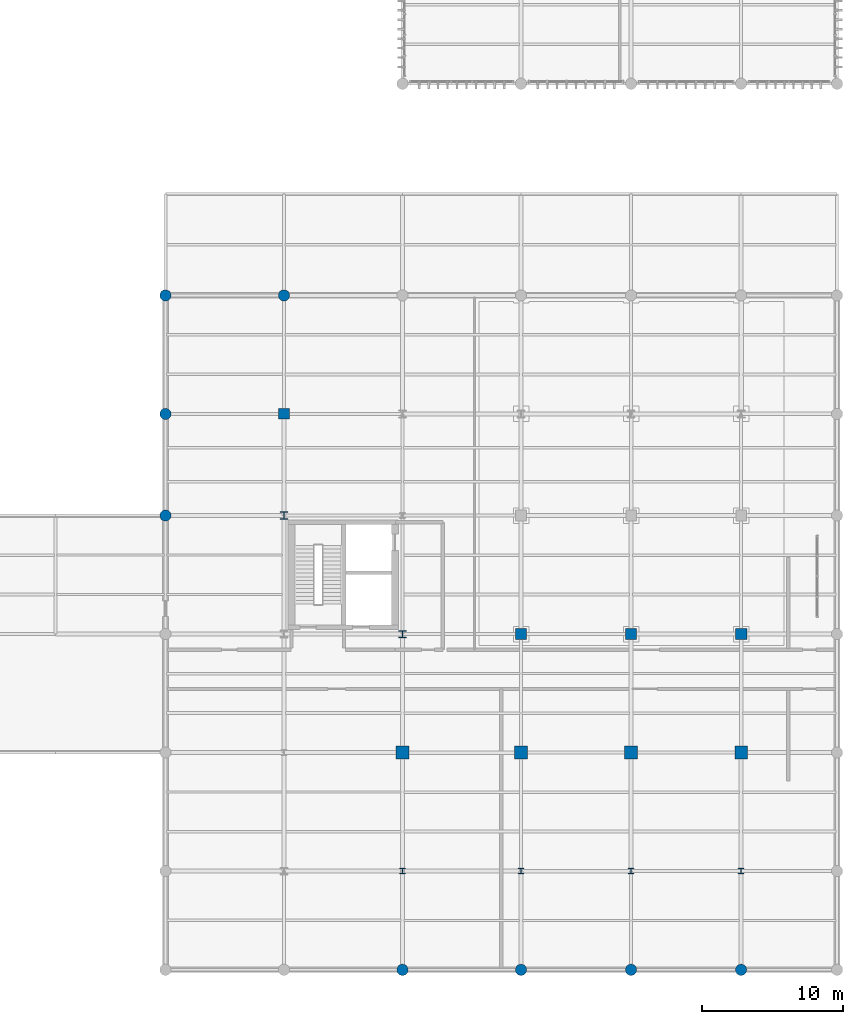
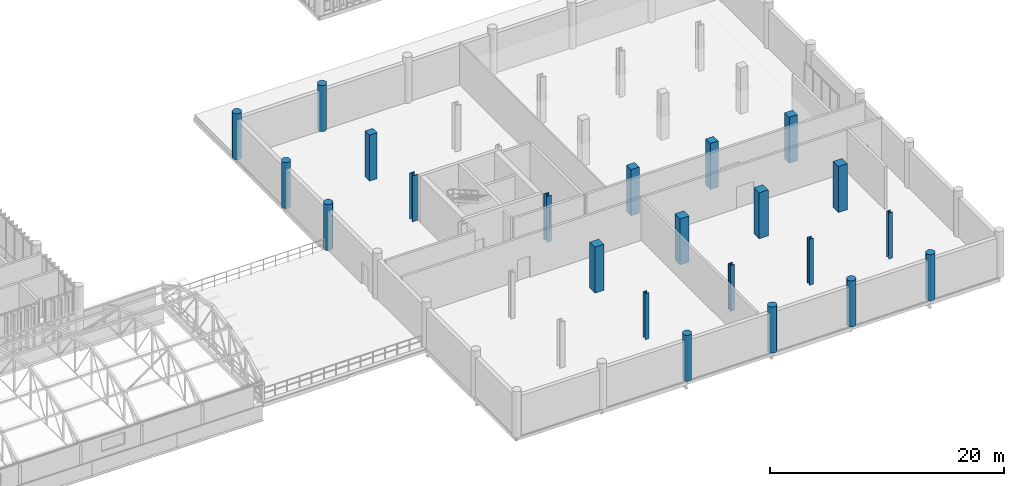
# One storey, part 8 of 109: 22 columns.
"""IFC4 building model written with IfcOpenShell, lengths in metres."""

from ifc_helpers import new_model, si_unit, direction, frame, origin_with_axes, origin_2d_with_axis, place, context, subcontext, project, spatial, rectangle, circle, i_section, extrude, material, material_profile, profile_set, type_object, element, save


model = new_model("IFC4")

# Units and contexts
model_context = context("Model", 3, precision=1e-05, world=origin_with_axes(), true_north=direction((0.0, 1.0)))
body_context = subcontext(model_context, "Body", "Model", "MODEL_VIEW")
ifc_project = project(units=[si_unit("LENGTHUNIT", "METRE"), si_unit("AREAUNIT", "SQUARE_METRE"), si_unit("VOLUMEUNIT", "CUBIC_METRE"), si_unit("PLANEANGLEUNIT", "RADIAN"), si_unit("MASSUNIT", "GRAM", prefix="KILO"), si_unit("THERMODYNAMICTEMPERATUREUNIT", "KELVIN")], contexts=[model_context])

# Site, building, storey
site_placement = place(None, origin_with_axes())
site = spatial("IfcSite", under=ifc_project, at=site_placement, CompositionType="ELEMENT")
building_placement = place(site_placement, origin_with_axes())
building = spatial("IfcBuilding", under=site, at=building_placement, Name="Montbau Bow Law Courts", CompositionType="ELEMENT")
storey_placement = place(building_placement, frame((0.0, 0.0, 10.8), z_axis=(0.0, 0.0, 1.0), x_axis=(1.0, 0.0, 0.0)))
storey = spatial("IfcBuildingStorey", under=building, at=storey_placement, Name="L02", CompositionType="ELEMENT", Elevation=10.8)

# Columns
ifc_material_1 = material(Name="Concrete CSA A23.1 f'c 45 MPa", Category="concrete")
ifc_material_profile_1 = material_profile(ifc_material_1, rectangle(XDim=0.9, YDim=0.9, at=origin_2d_with_axis()), Name="RC900X900", Category="Main", Priority=0)
ifc_profile_set_1 = profile_set([ifc_material_profile_1], Name="Concrete CSA A23.1 f'c 45 MPa")
column_type_1 = type_object("IfcColumnType", Name="C-RC-01", PredefinedType="COLUMN", material=ifc_profile_set_1)
for number, where, z_axis, x_axis, name in (
    (1, (138.6, 22.2, 10.8), (0.0, 0.0, 1.0), (1.0, 0.0, 0.0), "C-L02-S0585:col2_0585"),
    (2, (147.0, 22.2, 10.8), (0.0, 0.0, 1.0), (1.0, 0.0, 0.0), "C-L02-S0597:col2_0597"),
    (3, (154.8, 22.2, 10.8), (0.0, 0.0, 1.0), (1.0, 0.0, 0.0), "C-L02-S0609:col2_0609"),
    (4, (162.6, 22.2, 10.8), (0.0, 0.0, 1.0), (1.0, 0.0, 0.0), "C-L02-S0621:col2_0621"),
):
    element("IfcColumn", number, at=place(None, frame(where, z_axis=z_axis, x_axis=x_axis)), inside=storey, type_object=column_type_1, Name=name, PredefinedType="COLUMN", context=body_context, shape_type="SweptSolid", body=[
        extrude(rectangle(XDim=0.9, YDim=0.9, at=origin_2d_with_axis()), origin_with_axes(), (0.0, 0.0, 1.0), 4.8),
    ])
ifc_material_profile_2 = material_profile(ifc_material_1, rectangle(XDim=0.8, YDim=0.8, at=origin_2d_with_axis()), Name="RC800X800", Category="Main", Priority=0)
ifc_profile_set_2 = profile_set([ifc_material_profile_2], Name="Concrete CSA A23.1 f'c 45 MPa")
column_type_2 = type_object("IfcColumnType", Name="C-RC-02", PredefinedType="COLUMN", material=ifc_profile_set_2)
for number, where, z_axis, x_axis, name in (
    (5, (147.0, 30.6, 10.8), (0.0, 0.0, 1.0), (1.0, 0.0, 0.0), "C-L02-S0598:col2_0598"),
    (6, (154.8, 30.6, 10.8), (0.0, 0.0, 1.0), (1.0, 0.0, 0.0), "C-L02-S0610:col2_0610"),
    (7, (162.6, 30.6, 10.8), (0.0, 0.0, 1.0), (1.0, 0.0, 0.0), "C-L02-S0622:col2_0622"),
):
    element("IfcColumn", number, at=place(None, frame(where, z_axis=z_axis, x_axis=x_axis)), inside=storey, type_object=column_type_2, Name=name, PredefinedType="COLUMN", context=body_context, shape_type="SweptSolid", body=[
        extrude(rectangle(XDim=0.8, YDim=0.8, at=origin_2d_with_axis()), origin_with_axes(), (0.0, 0.0, 1.0), 4.8),
    ])
ifc_material_2 = material(Name="Concrete CSA A23.1 f'c 40 MPa", Category="concrete")
ifc_material_profile_3 = material_profile(ifc_material_2, rectangle(XDim=0.75, YDim=0.75, at=origin_2d_with_axis()), Name="RC750X750", Category="Main", Priority=0)
ifc_profile_set_3 = profile_set([ifc_material_profile_3], Name="Concrete CSA A23.1 f'c 40 MPa")
column_type_3 = type_object("IfcColumnType", Name="C-RC-03", PredefinedType="COLUMN", material=ifc_profile_set_3)
column_placement = place(None, frame((130.2, 46.2, 10.8), z_axis=(0.0, 0.0, 1.0), x_axis=(1.0, 0.0, 0.0)))
element("IfcColumn", 8, at=column_placement, inside=storey, type_object=column_type_3, Name="C-L02-S0581:col2_0581", PredefinedType="COLUMN", context=body_context, shape_type="SweptSolid", body=[
    extrude(rectangle(XDim=0.75, YDim=0.75, at=origin_2d_with_axis()), origin_with_axes(), (0.0, 0.0, 1.0), 4.8),
])
ifc_material_profile_4 = material_profile(ifc_material_2, circle(Radius=0.4, at=origin_2d_with_axis()), Name="RC800D", Category="Main", Priority=0)
ifc_profile_set_4 = profile_set([ifc_material_profile_4], Name="Concrete CSA A23.1 f'c 40 MPa")
column_type_4 = type_object("IfcColumnType", Name="C-RC-07", PredefinedType="COLUMN", material=ifc_profile_set_4)
for number, where, z_axis, x_axis, name in (
    (9, (121.8, 39.0, 10.8), (0.0, 0.0, 1.0), (1.0, 0.0, 0.0), "C-L02-S0573:col2_0573"),
    (10, (121.8, 46.2, 10.8), (0.0, 0.0, 1.0), (1.0, 0.0, 0.0), "C-L02-S0574:col2_0574"),
    (11, (121.8, 54.6, 10.8), (0.0, 0.0, 1.0), (1.0, 0.0, 0.0), "C-L02-S0575:col2_0575"),
    (12, (130.2, 54.6, 10.8), (0.0, 0.0, 1.0), (1.0, 0.0, 0.0), "C-L02-S0582:col2_0582"),
    (13, (138.6, 6.8, 10.8), (0.0, 0.0, 1.0), (1.0, 0.0, 0.0), "C-L02-S0583:col2_0583"),
    (14, (147.0, 6.8, 10.8), (0.0, 0.0, 1.0), (1.0, 0.0, 0.0), "C-L02-S0595:col2_0595"),
    (15, (154.8, 6.8, 10.8), (0.0, 0.0, 1.0), (1.0, 0.0, 0.0), "C-L02-S0607:col2_0607"),
    (16, (162.6, 6.8, 10.8), (0.0, 0.0, 1.0), (1.0, 0.0, 0.0), "C-L02-S0619:col2_0619"),
):
    element("IfcColumn", number, at=place(None, frame(where, z_axis=z_axis, x_axis=x_axis)), inside=storey, type_object=column_type_4, Name=name, PredefinedType="COLUMN", context=body_context, shape_type="SweptSolid", body=[
        extrude(circle(Radius=0.4, at=origin_2d_with_axis()), origin_with_axes(), (0.0, 0.0, 1.0), 4.8),
    ])
ifc_material_3 = material(Name="Steel CSA G40.21 Grade 350W (350 MPa)", Category="steel")
ifc_material_profile_5 = material_profile(ifc_material_3, i_section(OverallWidth=0.5, OverallDepth=0.5, WebThickness=0.022, FlangeThickness=0.036, at=origin_2d_with_axis()), Name="WWF500X343", Category="Main", Priority=0)
ifc_profile_set_5 = profile_set([ifc_material_profile_5], Name="Steel CSA G40.21 Grade 350W (350 MPa)")
column_type_5 = type_object("IfcColumnType", Name="C-STL-02", PredefinedType="COLUMN", material=ifc_profile_set_5)
for number, where, z_axis, x_axis, name in (
    (17, (130.2, 39.0, 10.8), (0.0, 0.0, 1.0), (1.0, 0.0, 0.0), "C-L02-S0580:col2_0580"),
    (18, (138.6, 30.6, 10.8), (0.0, 0.0, 1.0), (1.0, 0.0, 0.0), "C-L02-S0586:col2_0586"),
):
    element("IfcColumn", number, at=place(None, frame(where, z_axis=z_axis, x_axis=x_axis)), inside=storey, type_object=column_type_5, Name=name, PredefinedType="COLUMN", context=body_context, shape_type="SweptSolid", body=[
        extrude(i_section(OverallWidth=0.5, OverallDepth=0.5, WebThickness=0.022, FlangeThickness=0.036, at=origin_2d_with_axis()), origin_with_axes(), (0.0, 0.0, 1.0), 4.8),
    ])
ifc_material_profile_6 = material_profile(ifc_material_3, i_section(OverallWidth=0.395, OverallDepth=0.38, WebThickness=0.0189, FlangeThickness=0.0302, at=origin_2d_with_axis()), Name="W360X237", Category="Main", Priority=0)
ifc_profile_set_6 = profile_set([ifc_material_profile_6], Name="Steel CSA G40.21 Grade 350W (350 MPa)")
column_type_6 = type_object("IfcColumnType", Name="C-STL-03", PredefinedType="COLUMN", material=ifc_profile_set_6)
for number, where, z_axis, x_axis, name in (
    (19, (138.6, 13.8, 10.8), (0.0, 0.0, 1.0), (1.0, 0.0, 0.0), "C-L02-S0584:col2_0584"),
    (20, (147.0, 13.8, 10.8), (0.0, 0.0, 1.0), (1.0, 0.0, 0.0), "C-L02-S0596:col2_0596"),
    (21, (154.8, 13.8, 10.8), (0.0, 0.0, 1.0), (1.0, 0.0, 0.0), "C-L02-S0608:col2_0608"),
    (22, (162.6, 13.8, 10.8), (0.0, 0.0, 1.0), (1.0, 0.0, 0.0), "C-L02-S0620:col2_0620"),
):
    element("IfcColumn", number, at=place(None, frame(where, z_axis=z_axis, x_axis=x_axis)), inside=storey, type_object=column_type_6, Name=name, PredefinedType="COLUMN", context=body_context, shape_type="SweptSolid", body=[
        extrude(i_section(OverallWidth=0.395, OverallDepth=0.38, WebThickness=0.0189, FlangeThickness=0.0302, at=origin_2d_with_axis()), origin_with_axes(), (0.0, 0.0, 1.0), 4.8),
    ])

save(model, "model.ifc")
